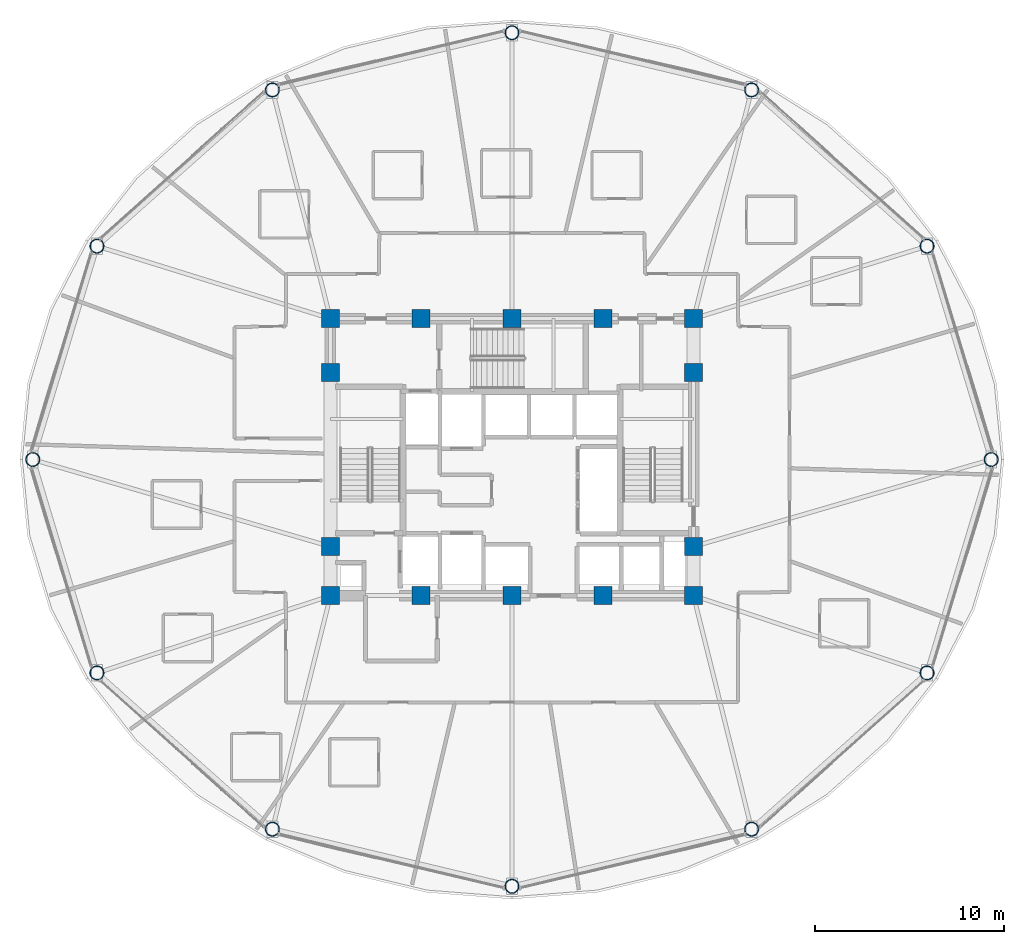
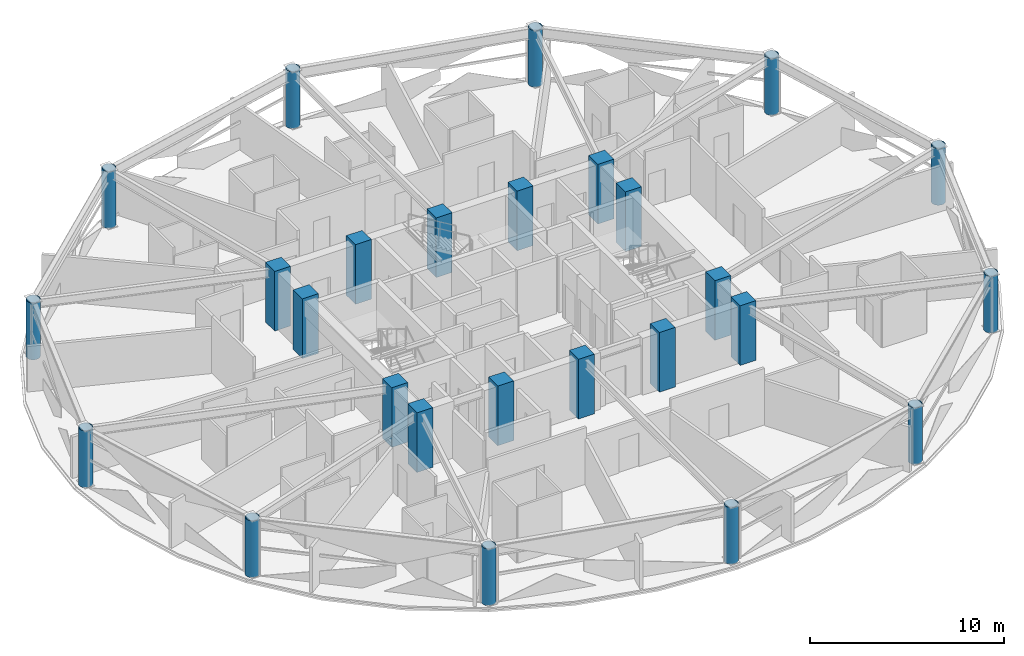
# One storey, part 1 of 31: 26 columns.
"""IFC4 building model written with IfcOpenShell, lengths in metres."""

from ifc_helpers import new_model, si_unit, direction, frame, origin, origin_2d, place, context, subcontext, project, spatial, rectangle, hollow_circle, extrude, material, material_profile, profile_set, type_object, element, save


model = new_model("IFC4")

# Units and contexts
model_context = context("Model", 3, precision=1e-05, world=origin(), true_north=direction((0.0, 1.0)))
body_context = subcontext(model_context, "Body", "Model", "MODEL_VIEW")
ifc_project = project(units=[si_unit("LENGTHUNIT", "METRE"), si_unit("AREAUNIT", "SQUARE_METRE"), si_unit("VOLUMEUNIT", "CUBIC_METRE"), si_unit("PLANEANGLEUNIT", "RADIAN"), si_unit("MASSUNIT", "GRAM", prefix="KILO")], contexts=[model_context])

# Site, building, storey
site_placement = place(None, origin())
site = spatial("IfcSite", under=ifc_project, at=site_placement, CompositionType="ELEMENT")
building_placement = place(site_placement, origin())
building = spatial("IfcBuilding", under=site, at=building_placement, Name="Vantalir Tower", CompositionType="ELEMENT")
storey_placement = place(building_placement, frame((0.0, 0.0, 115.949951171875)))
storey = spatial("IfcBuildingStorey", under=building, at=storey_placement, Name="L28", CompositionType="ELEMENT", Elevation=115.949951171875)

# Columns
ifc_material_1 = material(Name="Concrete C60/75", Category="concrete")
ifc_material_profile_1 = material_profile(ifc_material_1, rectangle(XDim=0.949951171875, YDim=0.949951171875, at=origin_2d()), Name="Concrete C60/75")
ifc_profile_set_1 = profile_set([ifc_material_profile_1], Name="Concrete C60/75")
column_type_1 = type_object("IfcColumnType", Name="COL-CC-950", PredefinedType="COLUMN", material=ifc_profile_set_1)
for number, where, z_axis, x_axis, name in (
    (1, (21.89990234375, 17.800048828125, 0.0), (0.0, 0.0, 1.0), (1.0, 0.0, 0.0), "L28 Core Column CC01"),
    (2, (26.699951171875, 17.800048828125, 0.0), (0.0, 0.0, 1.0), (1.0, 0.0, 0.0), "L28 Core Column CC02"),
    (3, (31.5, 17.800048828125, 0.0), (0.0, 0.0, 1.0), (1.0, 0.0, 0.0), "L28 Core Column CC03"),
    (4, (36.300048828125, 17.800048828125, 0.0), (0.0, 0.0, 1.0), (1.0, 0.0, 0.0), "L28 Core Column CC04"),
    (5, (41.10009765625, 17.800048828125, 0.0), (0.0, 0.0, 1.0), (1.0, 0.0, 0.0), "L28 Core Column CC05"),
    (6, (21.89990234375, 20.39990234375, 0.0), (0.0, 0.0, 1.0), (1.0, 0.0, 0.0), "L28 Core Column CC06"),
    (7, (21.89990234375, 29.60009765625, 0.0), (0.0, 0.0, 1.0), (1.0, 0.0, 0.0), "L28 Core Column CC07"),
    (8, (41.10009765625, 20.39990234375, 0.0), (0.0, 0.0, 1.0), (1.0, 0.0, 0.0), "L28 Core Column CC08"),
    (9, (41.10009765625, 29.60009765625, 0.0), (0.0, 0.0, 1.0), (1.0, 0.0, 0.0), "L28 Core Column CC09"),
    (10, (21.89990234375, 32.449951171875, 0.0), (0.0, 0.0, 1.0), (1.0, 0.0, 0.0), "L28 Core Column CC10"),
    (11, (26.699951171875, 32.449951171875, 0.0), (0.0, 0.0, 1.0), (1.0, 0.0, 0.0), "L28 Core Column CC11"),
    (12, (31.5, 32.449951171875, 0.0), (0.0, 0.0, 1.0), (1.0, 0.0, 0.0), "L28 Core Column CC12"),
    (13, (36.300048828125, 32.449951171875, 0.0), (0.0, 0.0, 1.0), (1.0, 0.0, 0.0), "L28 Core Column CC13"),
    (14, (41.10009765625, 32.449951171875, 0.0), (0.0, 0.0, 1.0), (1.0, 0.0, 0.0), "L28 Core Column CC14"),
):
    element("IfcColumn", number, at=place(storey_placement, frame(where, z_axis=z_axis, x_axis=x_axis)), inside=storey, type_object=column_type_1, Name=name, PredefinedType="COLUMN", context=body_context, shape_type="SweptSolid", body=[
        extrude(rectangle(XDim=0.949951171875, YDim=0.949951171875, at=origin_2d()), origin(), (0.0, 0.0, 1.0), 3.75),
    ])
ifc_material_2 = material(Name="Steel S460", Category="steel")
ifc_material_profile_2 = material_profile(ifc_material_2, hollow_circle(Radius=0.375, WallThickness=0.034912109375, at=origin_2d()), Name="Steel S460")
ifc_profile_set_2 = profile_set([ifc_material_profile_2], Name="Steel S460")
column_type_2 = type_object("IfcColumnType", Name="COL-RC-750", PredefinedType="COLUMN", material=ifc_profile_set_2)
for number, where, z_axis, x_axis, name in (
    (15, (56.840087890625, 25.0, 0.0), (0.0, 0.0, 1.0), (1.0, 0.0, 0.0), "L28 Perimeter Ring Column RC01"),
    (16, (53.445068359375, 36.282958984375, 0.0), (0.0, 0.0, 1.0), (1.0, 0.0, 0.0), "L28 Perimeter Ring Column RC02"),
    (17, (44.169921875, 44.54296875, 0.0), (0.0, 0.0, 1.0), (1.0, 0.0, 0.0), "L28 Perimeter Ring Column RC03"),
    (18, (31.5, 47.56591796875, 0.0), (0.0, 0.0, 1.0), (1.0, 0.0, 0.0), "L28 Perimeter Ring Column RC04"),
    (19, (18.830078125, 44.54296875, 0.0), (0.0, 0.0, 1.0), (1.0, 0.0, 0.0), "L28 Perimeter Ring Column RC05"),
    (20, (9.554931640625, 36.282958984375, 0.0), (0.0, 0.0, 1.0), (1.0, 0.0, 0.0), "L28 Perimeter Ring Column RC06"),
    (21, (6.159912109375, 25.0, 0.0), (0.0, 0.0, 1.0), (1.0, 0.0, 0.0), "L28 Perimeter Ring Column RC07"),
    (22, (9.554931640625, 13.717041015625, 0.0), (0.0, 0.0, 1.0), (1.0, 0.0, 0.0), "L28 Perimeter Ring Column RC08"),
    (23, (18.830078125, 5.45703125, 0.0), (0.0, 0.0, 1.0), (1.0, 0.0, 0.0), "L28 Perimeter Ring Column RC09"),
    (24, (31.5, 2.43408203125, 0.0), (0.0, 0.0, 1.0), (1.0, 0.0, 0.0), "L28 Perimeter Ring Column RC10"),
    (25, (44.169921875, 5.45703125, 0.0), (0.0, 0.0, 1.0), (1.0, 0.0, 0.0), "L28 Perimeter Ring Column RC11"),
    (26, (53.445068359375, 13.717041015625, 0.0), (0.0, 0.0, 1.0), (1.0, 0.0, 0.0), "L28 Perimeter Ring Column RC12"),
):
    element("IfcColumn", number, at=place(storey_placement, frame(where, z_axis=z_axis, x_axis=x_axis)), inside=storey, type_object=column_type_2, Name=name, PredefinedType="COLUMN", context=body_context, shape_type="SweptSolid", body=[
        extrude(hollow_circle(Radius=0.375, WallThickness=0.034912109375, at=origin_2d()), origin(), (0.0, 0.0, 1.0), 3.570068359375),
    ])

save(model, "model.ifc")
